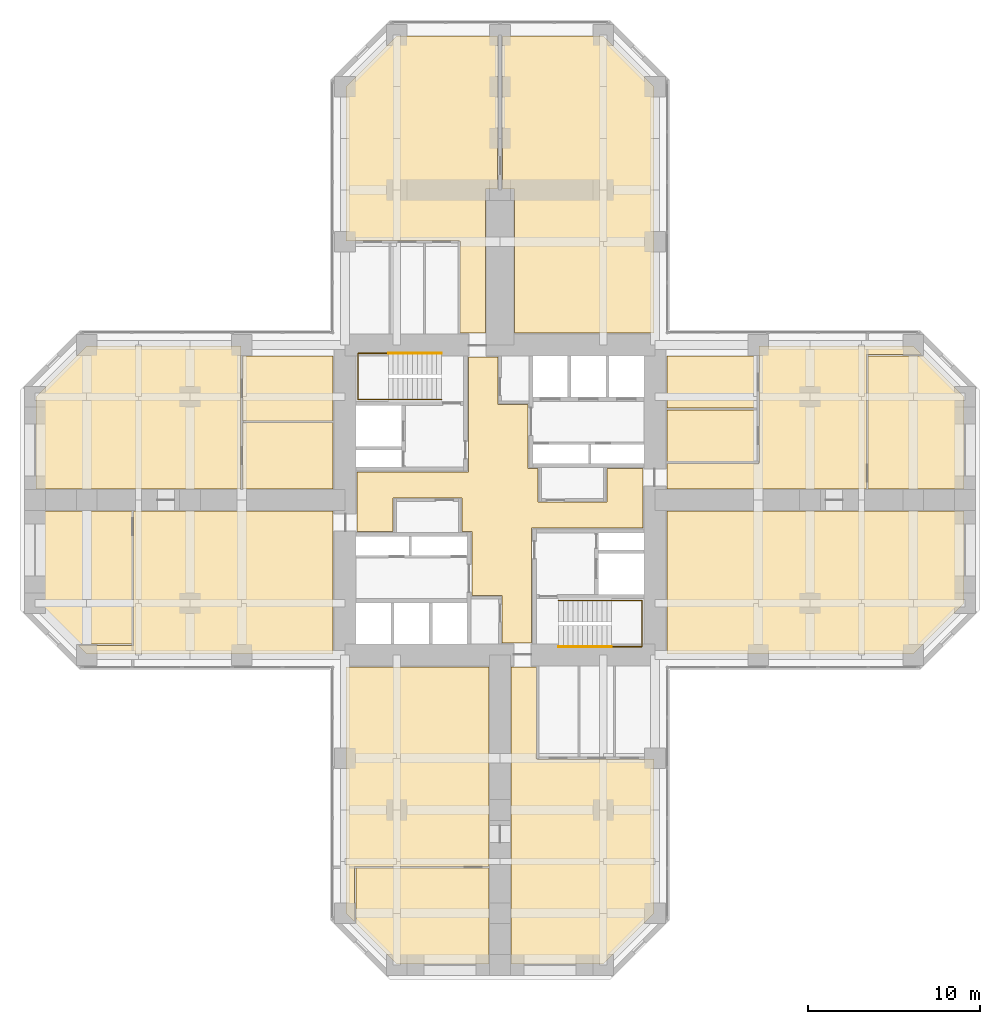
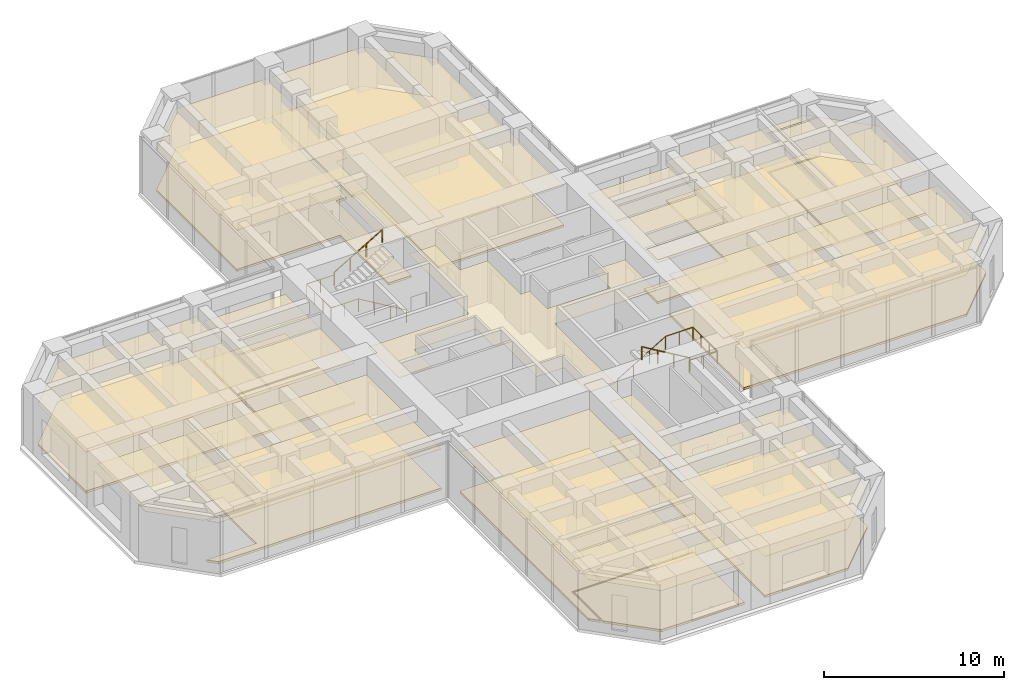
# One storey, part 12 of 12: 28 coverings, 4 railings.
"""IFC4 building model written with IfcOpenShell, lengths in metres."""

from ifc_helpers import new_model, si_unit, direction, frame, origin, origin_2d, place, context, subcontext, project, spatial, polyline, circle, outline, extrude, material, layer, layer_set, constituent, constituent_set, type_object, element, save


model = new_model("IFC4")

# Units and contexts
model_context = context("Model", 3, precision=1e-05, world=origin(), true_north=direction((0.0, 1.0)))
body_context = subcontext(model_context, "Body", "Model", "MODEL_VIEW")
ifc_project = project(units=[si_unit("LENGTHUNIT", "METRE"), si_unit("AREAUNIT", "SQUARE_METRE"), si_unit("VOLUMEUNIT", "CUBIC_METRE"), si_unit("PLANEANGLEUNIT", "RADIAN"), si_unit("MASSUNIT", "GRAM", prefix="KILO")], contexts=[model_context])

# Site, building, storey
site_placement = place(None, origin())
site = spatial("IfcSite", under=ifc_project, at=site_placement, CompositionType="ELEMENT")
building_placement = place(site_placement, origin())
building = spatial("IfcBuilding", under=site, at=building_placement, Name="Torre Cruceta", CompositionType="ELEMENT")
storey_placement = place(building_placement, frame((0.0, 0.0, 63.5)))
storey = spatial("IfcBuildingStorey", under=building, at=storey_placement, Name="L15", CompositionType="ELEMENT", Elevation=63.5)

# Railings
ifc_material_1 = material(Name="Stainless steel 1.4401", Category="steel")
railing_type = type_object("IfcRailingType", Name="HANDRAIL 900", PredefinedType="HANDRAIL", material=ifc_material_1)
railing_1_placement = place(storey_placement, frame((-3.39990234375, 5.8349609375, 0.166748046875)))
element("IfcRailing", 1, at=railing_1_placement, inside=storey, type_object=railing_type, Name="Handrail HR1 ST1 L15", PredefinedType="HANDRAIL", context=body_context, shape_type="SweptSolid", body=[
    extrude(circle(Radius=0.02392578125, at=origin_2d()), frame((0.0, 0.0, 0.8759765625), z_axis=(-0.859308565015, 0.0, 0.511457515432), x_axis=(0.0, -1.0, 0.0)), (0.0, 0.0, 1.0), 3.58447265625),
    extrude(circle(Radius=0.02392578125, at=origin_2d()), frame((-3.080078125, 0.0, 2.708984375), z_axis=(-1.0, 0.0, 0.0), x_axis=(0.0, -1.0, 0.0)), (0.0, 0.0, 1.0), 1.760009765625),
    extrude(circle(Radius=0.02392578125, at=origin_2d()), frame((-4.840087890625, 0.0, 2.708984375), z_axis=(0.0, 1.0, 0.0), x_axis=(-1.0, 0.0, 0.0)), (0.0, 0.0, 1.0), 2.679931640625),
    extrude(circle(Radius=0.02392578125, at=origin_2d()), frame((-4.840087890625, 2.679931640625, 2.708984375), z_axis=(1.0, 0.0, 0.0), x_axis=(0.0, 1.0, 0.0)), (0.0, 0.0, 1.0), 1.760009765625),
    extrude(circle(Radius=0.02099609375, at=origin_2d()), origin(), (0.0, 0.0, 1.0), 0.851806640625),
    extrude(circle(Radius=0.02099609375, at=origin_2d()), frame((-1.026611328125, 0.0, 0.611083984375)), (0.0, 0.0, 1.0), 0.851806640625),
    extrude(circle(Radius=0.02099609375, at=origin_2d()), frame((-2.053466796875, 0.0, 1.22216796875)), (0.0, 0.0, 1.0), 0.851806640625),
    extrude(circle(Radius=0.02099609375, at=origin_2d()), frame((-3.080078125, 0.0, 1.833251953125)), (0.0, 0.0, 1.0), 0.851806640625),
    extrude(circle(Radius=0.02099609375, at=origin_2d()), frame((-3.9599609375, 0.0, 1.833251953125)), (0.0, 0.0, 1.0), 0.851806640625),
    extrude(circle(Radius=0.02099609375, at=origin_2d()), frame((-4.840087890625, 0.0, 1.833251953125)), (0.0, 0.0, 1.0), 0.851806640625),
    extrude(circle(Radius=0.02099609375, at=origin_2d()), frame((-4.840087890625, 0.893310546875, 1.833251953125)), (0.0, 0.0, 1.0), 0.851806640625),
    extrude(circle(Radius=0.02099609375, at=origin_2d()), frame((-4.840087890625, 1.78662109375, 1.833251953125)), (0.0, 0.0, 1.0), 0.851806640625),
    extrude(circle(Radius=0.02099609375, at=origin_2d()), frame((-4.840087890625, 2.679931640625, 1.833251953125)), (0.0, 0.0, 1.0), 0.851806640625),
    extrude(circle(Radius=0.02099609375, at=origin_2d()), frame((-3.9599609375, 2.679931640625, 1.833251953125)), (0.0, 0.0, 1.0), 0.851806640625),
    extrude(circle(Radius=0.02099609375, at=origin_2d()), frame((-3.080078125, 2.679931640625, 1.833251953125)), (0.0, 0.0, 1.0), 0.851806640625),
])
railing_2_placement = place(storey_placement, frame((-6.47998046875, 8.514892578125, 2.166748046875)))
element("IfcRailing", 2, at=railing_2_placement, inside=storey, type_object=railing_type, Name="Handrail HR1 ST1 L15", PredefinedType="HANDRAIL", context=body_context, shape_type="SweptSolid", body=[
    extrude(circle(Radius=0.02392578125, at=origin_2d()), frame((0.0, 0.0, 0.8759765625), z_axis=(0.859308565015, 0.0, 0.511457515432), x_axis=(0.0, 1.0, 0.0)), (0.0, 0.0, 1.0), 3.58447265625),
    extrude(circle(Radius=0.02099609375, at=origin_2d()), origin(), (0.0, 0.0, 1.0), 0.851806640625),
    extrude(circle(Radius=0.02099609375, at=origin_2d()), frame((1.026611328125, 0.0, 0.611083984375)), (0.0, 0.0, 1.0), 0.851806640625),
    extrude(circle(Radius=0.02099609375, at=origin_2d()), frame((2.053466796875, 0.0, 1.22216796875)), (0.0, 0.0, 1.0), 0.851806640625),
    extrude(circle(Radius=0.02099609375, at=origin_2d()), frame((3.080078125, 0.0, 1.833251953125)), (0.0, 0.0, 1.0), 0.851806640625),
])
railing_3_placement = place(storey_placement, frame((3.39990234375, -5.8349609375, 0.166748046875)))
element("IfcRailing", 3, at=railing_3_placement, inside=storey, type_object=railing_type, Name="Handrail HR1 ST2 L15", PredefinedType="HANDRAIL", context=body_context, shape_type="SweptSolid", body=[
    extrude(circle(Radius=0.02392578125, at=origin_2d()), frame((0.0, 0.0, 0.8759765625), z_axis=(0.859308565015, 0.0, 0.511457515432), x_axis=(0.0, 1.0, 0.0)), (0.0, 0.0, 1.0), 3.58447265625),
    extrude(circle(Radius=0.02392578125, at=origin_2d()), frame((3.080078125, 0.0, 2.708984375), z_axis=(1.0, 0.0, 0.0), x_axis=(0.0, 1.0, 0.0)), (0.0, 0.0, 1.0), 1.760009765625),
    extrude(circle(Radius=0.02392578125, at=origin_2d()), frame((4.840087890625, 0.0, 2.708984375), z_axis=(0.0, -1.0, 0.0), x_axis=(1.0, 0.0, 0.0)), (0.0, 0.0, 1.0), 2.679931640625),
    extrude(circle(Radius=0.02392578125, at=origin_2d()), frame((4.840087890625, -2.679931640625, 2.708984375), z_axis=(-1.0, 0.0, 0.0), x_axis=(0.0, -1.0, 0.0)), (0.0, 0.0, 1.0), 1.760009765625),
    extrude(circle(Radius=0.02099609375, at=origin_2d()), origin(), (0.0, 0.0, 1.0), 0.851806640625),
    extrude(circle(Radius=0.02099609375, at=origin_2d()), frame((1.026611328125, 0.0, 0.611083984375)), (0.0, 0.0, 1.0), 0.851806640625),
    extrude(circle(Radius=0.02099609375, at=origin_2d()), frame((2.053466796875, 0.0, 1.22216796875)), (0.0, 0.0, 1.0), 0.851806640625),
    extrude(circle(Radius=0.02099609375, at=origin_2d()), frame((3.080078125, 0.0, 1.833251953125)), (0.0, 0.0, 1.0), 0.851806640625),
    extrude(circle(Radius=0.02099609375, at=origin_2d()), frame((3.9599609375, 0.0, 1.833251953125)), (0.0, 0.0, 1.0), 0.851806640625),
    extrude(circle(Radius=0.02099609375, at=origin_2d()), frame((4.840087890625, 0.0, 1.833251953125)), (0.0, 0.0, 1.0), 0.851806640625),
    extrude(circle(Radius=0.02099609375, at=origin_2d()), frame((4.840087890625, -0.893310546875, 1.833251953125)), (0.0, 0.0, 1.0), 0.851806640625),
    extrude(circle(Radius=0.02099609375, at=origin_2d()), frame((4.840087890625, -1.78662109375, 1.833251953125)), (0.0, 0.0, 1.0), 0.851806640625),
    extrude(circle(Radius=0.02099609375, at=origin_2d()), frame((4.840087890625, -2.679931640625, 1.833251953125)), (0.0, 0.0, 1.0), 0.851806640625),
    extrude(circle(Radius=0.02099609375, at=origin_2d()), frame((3.9599609375, -2.679931640625, 1.833251953125)), (0.0, 0.0, 1.0), 0.851806640625),
    extrude(circle(Radius=0.02099609375, at=origin_2d()), frame((3.080078125, -2.679931640625, 1.833251953125)), (0.0, 0.0, 1.0), 0.851806640625),
])
railing_4_placement = place(storey_placement, frame((6.47998046875, -8.514892578125, 2.166748046875)))
element("IfcRailing", 4, at=railing_4_placement, inside=storey, type_object=railing_type, Name="Handrail HR1 ST2 L15", PredefinedType="HANDRAIL", context=body_context, shape_type="SweptSolid", body=[
    extrude(circle(Radius=0.02392578125, at=origin_2d()), frame((0.0, 0.0, 0.8759765625), z_axis=(-0.859308565015, 0.0, 0.511457515432), x_axis=(0.0, -1.0, 0.0)), (0.0, 0.0, 1.0), 3.58447265625),
    extrude(circle(Radius=0.02099609375, at=origin_2d()), origin(), (0.0, 0.0, 1.0), 0.851806640625),
    extrude(circle(Radius=0.02099609375, at=origin_2d()), frame((-1.026611328125, 0.0, 0.611083984375)), (0.0, 0.0, 1.0), 0.851806640625),
    extrude(circle(Radius=0.02099609375, at=origin_2d()), frame((-2.053466796875, 0.0, 1.22216796875)), (0.0, 0.0, 1.0), 0.851806640625),
    extrude(circle(Radius=0.02099609375, at=origin_2d()), frame((-3.080078125, 0.0, 1.833251953125)), (0.0, 0.0, 1.0), 0.851806640625),
])

# Coverings
ifc_material_2 = material(Name="Steel DX51D", Category="steel")
ifc_constituent_1 = constituent(ifc_material_2, Name="Panel casing")
ifc_material_3 = material(Name="Calcium sulphate", Category="gypsum")
ifc_constituent_2 = constituent(ifc_material_3, Name="Panel core")
ifc_constituent_set = constituent_set(constituents=[ifc_constituent_1, ifc_constituent_2], Name="Raised access floor panel")
covering_type_1 = type_object("IfcCoveringType", Name="RAISED ACCESS FLOOR 150", PredefinedType="FLOORING", material=ifc_constituent_set)
covering_1_placement = place(storey_placement, origin())
element("IfcCovering", 5, at=covering_1_placement, inside=storey, type_object=covering_type_1, Name="Raised floor L15-029", PredefinedType="FLOORING", context=body_context, shape_type="SweptSolid", body=[
    extrude(outline(polyline([(-5.979248046875, 26.949951171875), (-0.14990234375, 26.949951171875), (-0.14990234375, 18.050048828125), (-0.85009765625, 18.050048828125), (-0.85009765625, 9.699951171875), (-2.324951171875, 9.699951171875), (-2.324951171875, 15.050048828125), (-8.949951171875, 15.050048828125), (-8.949951171875, 23.979248046875), (-5.979248046875, 26.949951171875)])), origin(), (0.0, 0.0, 1.0), 0.14990234375),
])
covering_2_placement = place(storey_placement, origin())
element("IfcCovering", 6, at=covering_2_placement, inside=storey, type_object=covering_type_1, Name="Raised floor L15-030", PredefinedType="FLOORING", context=body_context, shape_type="SweptSolid", body=[
    extrude(outline(polyline([(5.979248046875, 26.949951171875), (8.949951171875, 23.979248046875), (8.949951171875, 9.699951171875), (0.85009765625, 9.699951171875), (0.85009765625, 18.050048828125), (0.14990234375, 18.050048828125), (0.14990234375, 26.949951171875), (5.979248046875, 26.949951171875)])), origin(), (0.0, 0.0, 1.0), 0.14990234375),
])
covering_3_placement = place(storey_placement, origin())
element("IfcCovering", 7, at=covering_3_placement, inside=storey, type_object=covering_type_1, Name="Raised floor L15-033", PredefinedType="FLOORING", context=body_context, shape_type="SweptSolid", body=[
    extrude(outline(polyline([(26.949951171875, 0.64990234375), (21.3701171875, 0.64990234375), (21.3701171875, 8.35009765625), (24.579345703125, 8.35009765625), (26.949951171875, 5.979248046875), (26.949951171875, 0.64990234375)])), origin(), (0.0, 0.0, 1.0), 0.14990234375),
])
covering_4_placement = place(storey_placement, origin())
element("IfcCovering", 8, at=covering_4_placement, inside=storey, type_object=covering_type_1, Name="Raised floor L15-034", PredefinedType="FLOORING", context=body_context, shape_type="SweptSolid", body=[
    extrude(outline(polyline([(21.27001953125, 8.449951171875), (21.27001953125, 0.64990234375), (9.699951171875, 0.64990234375), (9.699951171875, 2.125), (15.050048828125, 2.125), (15.050048828125, 8.949951171875), (23.979248046875, 8.949951171875), (24.479248046875, 8.449951171875), (21.27001953125, 8.449951171875)])), origin(), (0.0, 0.0, 1.0), 0.14990234375),
])
covering_5_placement = place(storey_placement, origin())
element("IfcCovering", 9, at=covering_5_placement, inside=storey, type_object=covering_type_1, Name="Raised floor L15-035", PredefinedType="FLOORING", context=body_context, shape_type="SweptSolid", body=[
    extrude(outline(polyline([(26.949951171875, -5.979248046875), (23.979248046875, -8.949951171875), (9.699951171875, -8.949951171875), (9.699951171875, -0.64990234375), (26.949951171875, -0.64990234375), (26.949951171875, -5.979248046875)])), origin(), (0.0, 0.0, 1.0), 0.14990234375),
])
covering_6_placement = place(storey_placement, origin())
element("IfcCovering", 10, at=covering_6_placement, inside=storey, type_object=covering_type_1, Name="Raised floor L15-039", PredefinedType="FLOORING", context=body_context, shape_type="SweptSolid", body=[
    extrude(outline(polyline([(-8.35009765625, -24.579345703125), (-8.35009765625, -21.3701171875), (-0.64990234375, -21.3701171875), (-0.64990234375, -26.949951171875), (-5.979248046875, -26.949951171875), (-8.35009765625, -24.579345703125)])), origin(), (0.0, 0.0, 1.0), 0.14990234375),
])
covering_7_placement = place(storey_placement, origin())
element("IfcCovering", 11, at=covering_7_placement, inside=storey, type_object=covering_type_1, Name="Raised floor L15-040", PredefinedType="FLOORING", context=body_context, shape_type="SweptSolid", body=[
    extrude(outline(polyline([(0.64990234375, -26.949951171875), (0.64990234375, -9.699951171875), (2.125, -9.699951171875), (2.125, -15.050048828125), (8.949951171875, -15.050048828125), (8.949951171875, -23.979248046875), (5.979248046875, -26.949951171875), (0.64990234375, -26.949951171875)])), origin(), (0.0, 0.0, 1.0), 0.14990234375),
])
covering_8_placement = place(storey_placement, origin())
element("IfcCovering", 12, at=covering_8_placement, inside=storey, type_object=covering_type_1, Name="Raised floor L15-041", PredefinedType="FLOORING", context=body_context, shape_type="SweptSolid", body=[
    extrude(outline(polyline([(-8.449951171875, -21.27001953125), (-8.449951171875, -24.479248046875), (-8.949951171875, -23.979248046875), (-8.949951171875, -9.699951171875), (-0.64990234375, -9.699951171875), (-0.64990234375, -21.27001953125), (-8.449951171875, -21.27001953125)])), origin(), (0.0, 0.0, 1.0), 0.14990234375),
])
covering_9_placement = place(storey_placement, origin())
element("IfcCovering", 13, at=covering_9_placement, inside=storey, type_object=covering_type_1, Name="Raised floor L15-042", PredefinedType="FLOORING", context=body_context, shape_type="SweptSolid", body=[
    extrude(outline(polyline([(-9.699951171875, 4.5), (-9.699951171875, 0.64990234375), (-14.949951171875, 0.64990234375), (-14.949951171875, 4.5), (-9.699951171875, 4.5)])), origin(), (0.0, 0.0, 1.0), 0.14990234375),
])
covering_10_placement = place(storey_placement, origin())
element("IfcCovering", 14, at=covering_10_placement, inside=storey, type_object=covering_type_1, Name="Raised floor L15-043", PredefinedType="FLOORING", context=body_context, shape_type="SweptSolid", body=[
    extrude(outline(polyline([(-9.699951171875, 8.35009765625), (-9.699951171875, 4.60009765625), (-14.949951171875, 4.60009765625), (-14.949951171875, 8.35009765625), (-9.699951171875, 8.35009765625)])), origin(), (0.0, 0.0, 1.0), 0.14990234375),
])
covering_11_placement = place(storey_placement, origin())
element("IfcCovering", 15, at=covering_11_placement, inside=storey, type_object=covering_type_1, Name="Raised floor L15-045", PredefinedType="FLOORING", context=body_context, shape_type="SweptSolid", body=[
    extrude(outline(polyline([(-24.479248046875, -8.449951171875), (-21.27001953125, -8.449951171875), (-21.27001953125, -0.64990234375), (-9.699951171875, -0.64990234375), (-9.699951171875, -8.949951171875), (-23.979248046875, -8.949951171875), (-24.479248046875, -8.449951171875)])), origin(), (0.0, 0.0, 1.0), 0.14990234375),
])
covering_12_placement = place(storey_placement, origin())
element("IfcCovering", 16, at=covering_12_placement, inside=storey, type_object=covering_type_1, Name="Raised floor L15-046", PredefinedType="FLOORING", context=body_context, shape_type="SweptSolid", body=[
    extrude(outline(polyline([(-26.949951171875, 5.979248046875), (-23.979248046875, 8.949951171875), (-15.050048828125, 8.949951171875), (-15.050048828125, 0.64990234375), (-26.949951171875, 0.64990234375), (-26.949951171875, 5.979248046875)])), origin(), (0.0, 0.0, 1.0), 0.14990234375),
])
ifc_material_4 = material(Name="Mineral fibre ceiling tile", Category="gypsum")
ifc_layer = layer(ifc_material_4, 0.02001953125)
ifc_layer_set = layer_set([ifc_layer], Name="Mineral fibre ceiling tile")
covering_type_2 = type_object("IfcCoveringType", Name="SUSPENDED CEILING 20", PredefinedType="CEILING", material=ifc_layer_set)
covering_13_placement = place(storey_placement, frame((0.0, 0.0, 2.780029296875)))
element("IfcCovering", 17, at=covering_13_placement, inside=storey, type_object=covering_type_2, Name="Ceiling L15-001", PredefinedType="CEILING", context=body_context, shape_type="SweptSolid", body=[
    extrude(outline(polyline([(1.824951171875, -8.300048828125), (0.125, -8.300048828125), (0.125, -5.550048828125), (-1.625, -5.550048828125), (-1.625, -1.824951171875), (-2.199951171875, -1.824951171875), (-2.199951171875, 0.125), (-6.199951171875, 0.125), (-6.199951171875, -1.824951171875), (-8.300048828125, -1.824951171875), (-8.300048828125, 1.625), (-1.824951171875, 1.625), (-1.824951171875, 8.300048828125), (-0.125, 8.300048828125), (-0.125, 5.550048828125), (1.625, 5.550048828125), (1.625, 1.824951171875), (2.199951171875, 1.824951171875), (2.199951171875, -0.125), (6.199951171875, -0.125), (6.199951171875, 1.824951171875), (8.300048828125, 1.824951171875), (8.300048828125, -1.625), (1.824951171875, -1.625), (1.824951171875, -8.300048828125)])), origin(), (0.0, 0.0, 1.0), 0.02001953125),
])
covering_14_placement = place(storey_placement, frame((0.0, 0.0, 2.780029296875)))
element("IfcCovering", 18, at=covering_14_placement, inside=storey, type_object=covering_type_2, Name="Ceiling L15-029", PredefinedType="CEILING", context=body_context, shape_type="SweptSolid", body=[
    extrude(outline(polyline([(-5.979248046875, 26.949951171875), (-0.14990234375, 26.949951171875), (-0.14990234375, 18.050048828125), (-0.85009765625, 18.050048828125), (-0.85009765625, 9.699951171875), (-2.324951171875, 9.699951171875), (-2.324951171875, 15.050048828125), (-8.949951171875, 15.050048828125), (-8.949951171875, 23.979248046875), (-5.979248046875, 26.949951171875)])), origin(), (0.0, 0.0, 1.0), 0.02001953125),
])
covering_15_placement = place(storey_placement, frame((0.0, 0.0, 2.780029296875)))
element("IfcCovering", 19, at=covering_15_placement, inside=storey, type_object=covering_type_2, Name="Ceiling L15-030", PredefinedType="CEILING", context=body_context, shape_type="SweptSolid", body=[
    extrude(outline(polyline([(5.979248046875, 26.949951171875), (8.949951171875, 23.979248046875), (8.949951171875, 9.699951171875), (0.85009765625, 9.699951171875), (0.85009765625, 18.050048828125), (0.14990234375, 18.050048828125), (0.14990234375, 26.949951171875), (5.979248046875, 26.949951171875)])), origin(), (0.0, 0.0, 1.0), 0.02001953125),
])
covering_16_placement = place(storey_placement, frame((0.0, 0.0, 2.780029296875)))
element("IfcCovering", 20, at=covering_16_placement, inside=storey, type_object=covering_type_2, Name="Ceiling L15-031", PredefinedType="CEILING", context=body_context, shape_type="SweptSolid", body=[
    extrude(outline(polyline([(9.699951171875, 2.22509765625), (9.699951171875, 5.237548828125), (14.949951171875, 5.237548828125), (14.949951171875, 2.22509765625), (9.699951171875, 2.22509765625)])), origin(), (0.0, 0.0, 1.0), 0.02001953125),
])
covering_17_placement = place(storey_placement, frame((0.0, 0.0, 2.780029296875)))
element("IfcCovering", 21, at=covering_17_placement, inside=storey, type_object=covering_type_2, Name="Ceiling L15-032", PredefinedType="CEILING", context=body_context, shape_type="SweptSolid", body=[
    extrude(outline(polyline([(9.699951171875, 5.33740234375), (9.699951171875, 8.35009765625), (14.949951171875, 8.35009765625), (14.949951171875, 5.33740234375), (9.699951171875, 5.33740234375)])), origin(), (0.0, 0.0, 1.0), 0.02001953125),
])
covering_18_placement = place(storey_placement, frame((0.0, 0.0, 2.780029296875)))
element("IfcCovering", 22, at=covering_18_placement, inside=storey, type_object=covering_type_2, Name="Ceiling L15-033", PredefinedType="CEILING", context=body_context, shape_type="SweptSolid", body=[
    extrude(outline(polyline([(26.949951171875, 0.64990234375), (21.3701171875, 0.64990234375), (21.3701171875, 8.35009765625), (24.579345703125, 8.35009765625), (26.949951171875, 5.979248046875), (26.949951171875, 0.64990234375)])), origin(), (0.0, 0.0, 1.0), 0.02001953125),
])
covering_19_placement = place(storey_placement, frame((0.0, 0.0, 2.780029296875)))
element("IfcCovering", 23, at=covering_19_placement, inside=storey, type_object=covering_type_2, Name="Ceiling L15-034", PredefinedType="CEILING", context=body_context, shape_type="SweptSolid", body=[
    extrude(outline(polyline([(21.27001953125, 8.449951171875), (21.27001953125, 0.64990234375), (9.699951171875, 0.64990234375), (9.699951171875, 2.125), (15.050048828125, 2.125), (15.050048828125, 8.949951171875), (23.979248046875, 8.949951171875), (24.479248046875, 8.449951171875), (21.27001953125, 8.449951171875)])), origin(), (0.0, 0.0, 1.0), 0.02001953125),
])
covering_20_placement = place(storey_placement, frame((0.0, 0.0, 2.780029296875)))
element("IfcCovering", 24, at=covering_20_placement, inside=storey, type_object=covering_type_2, Name="Ceiling L15-035", PredefinedType="CEILING", context=body_context, shape_type="SweptSolid", body=[
    extrude(outline(polyline([(26.949951171875, -5.979248046875), (23.979248046875, -8.949951171875), (9.699951171875, -8.949951171875), (9.699951171875, -0.64990234375), (26.949951171875, -0.64990234375), (26.949951171875, -5.979248046875)])), origin(), (0.0, 0.0, 1.0), 0.02001953125),
])
covering_21_placement = place(storey_placement, frame((0.0, 0.0, 2.780029296875)))
element("IfcCovering", 25, at=covering_21_placement, inside=storey, type_object=covering_type_2, Name="Ceiling L15-039", PredefinedType="CEILING", context=body_context, shape_type="SweptSolid", body=[
    extrude(outline(polyline([(-8.35009765625, -24.579345703125), (-8.35009765625, -21.3701171875), (-0.64990234375, -21.3701171875), (-0.64990234375, -26.949951171875), (-5.979248046875, -26.949951171875), (-8.35009765625, -24.579345703125)])), origin(), (0.0, 0.0, 1.0), 0.02001953125),
])
covering_22_placement = place(storey_placement, frame((0.0, 0.0, 2.780029296875)))
element("IfcCovering", 26, at=covering_22_placement, inside=storey, type_object=covering_type_2, Name="Ceiling L15-040", PredefinedType="CEILING", context=body_context, shape_type="SweptSolid", body=[
    extrude(outline(polyline([(0.64990234375, -26.949951171875), (0.64990234375, -9.699951171875), (2.125, -9.699951171875), (2.125, -15.050048828125), (8.949951171875, -15.050048828125), (8.949951171875, -23.979248046875), (5.979248046875, -26.949951171875), (0.64990234375, -26.949951171875)])), origin(), (0.0, 0.0, 1.0), 0.02001953125),
])
covering_23_placement = place(storey_placement, frame((0.0, 0.0, 2.780029296875)))
element("IfcCovering", 27, at=covering_23_placement, inside=storey, type_object=covering_type_2, Name="Ceiling L15-041", PredefinedType="CEILING", context=body_context, shape_type="SweptSolid", body=[
    extrude(outline(polyline([(-8.449951171875, -21.27001953125), (-8.449951171875, -24.479248046875), (-8.949951171875, -23.979248046875), (-8.949951171875, -9.699951171875), (-0.64990234375, -9.699951171875), (-0.64990234375, -21.27001953125), (-8.449951171875, -21.27001953125)])), origin(), (0.0, 0.0, 1.0), 0.02001953125),
])
covering_24_placement = place(storey_placement, frame((0.0, 0.0, 2.780029296875)))
element("IfcCovering", 28, at=covering_24_placement, inside=storey, type_object=covering_type_2, Name="Ceiling L15-042", PredefinedType="CEILING", context=body_context, shape_type="SweptSolid", body=[
    extrude(outline(polyline([(-9.699951171875, 4.5), (-9.699951171875, 0.64990234375), (-14.949951171875, 0.64990234375), (-14.949951171875, 4.5), (-9.699951171875, 4.5)])), origin(), (0.0, 0.0, 1.0), 0.02001953125),
])
covering_25_placement = place(storey_placement, frame((0.0, 0.0, 2.780029296875)))
element("IfcCovering", 29, at=covering_25_placement, inside=storey, type_object=covering_type_2, Name="Ceiling L15-043", PredefinedType="CEILING", context=body_context, shape_type="SweptSolid", body=[
    extrude(outline(polyline([(-9.699951171875, 8.35009765625), (-9.699951171875, 4.60009765625), (-14.949951171875, 4.60009765625), (-14.949951171875, 8.35009765625), (-9.699951171875, 8.35009765625)])), origin(), (0.0, 0.0, 1.0), 0.02001953125),
])
covering_26_placement = place(storey_placement, frame((0.0, 0.0, 2.780029296875)))
element("IfcCovering", 30, at=covering_26_placement, inside=storey, type_object=covering_type_2, Name="Ceiling L15-044", PredefinedType="CEILING", context=body_context, shape_type="SweptSolid", body=[
    extrude(outline(polyline([(-26.949951171875, -0.64990234375), (-21.3701171875, -0.64990234375), (-21.3701171875, -8.35009765625), (-24.579345703125, -8.35009765625), (-26.949951171875, -5.979248046875), (-26.949951171875, -0.64990234375)])), origin(), (0.0, 0.0, 1.0), 0.02001953125),
])
covering_27_placement = place(storey_placement, frame((0.0, 0.0, 2.780029296875)))
element("IfcCovering", 31, at=covering_27_placement, inside=storey, type_object=covering_type_2, Name="Ceiling L15-045", PredefinedType="CEILING", context=body_context, shape_type="SweptSolid", body=[
    extrude(outline(polyline([(-24.479248046875, -8.449951171875), (-21.27001953125, -8.449951171875), (-21.27001953125, -0.64990234375), (-9.699951171875, -0.64990234375), (-9.699951171875, -8.949951171875), (-23.979248046875, -8.949951171875), (-24.479248046875, -8.449951171875)])), origin(), (0.0, 0.0, 1.0), 0.02001953125),
])
covering_28_placement = place(storey_placement, frame((0.0, 0.0, 2.780029296875)))
element("IfcCovering", 32, at=covering_28_placement, inside=storey, type_object=covering_type_2, Name="Ceiling L15-046", PredefinedType="CEILING", context=body_context, shape_type="SweptSolid", body=[
    extrude(outline(polyline([(-26.949951171875, 5.979248046875), (-23.979248046875, 8.949951171875), (-15.050048828125, 8.949951171875), (-15.050048828125, 0.64990234375), (-26.949951171875, 0.64990234375), (-26.949951171875, 5.979248046875)])), origin(), (0.0, 0.0, 1.0), 0.02001953125),
])

save(model, "model.ifc")
